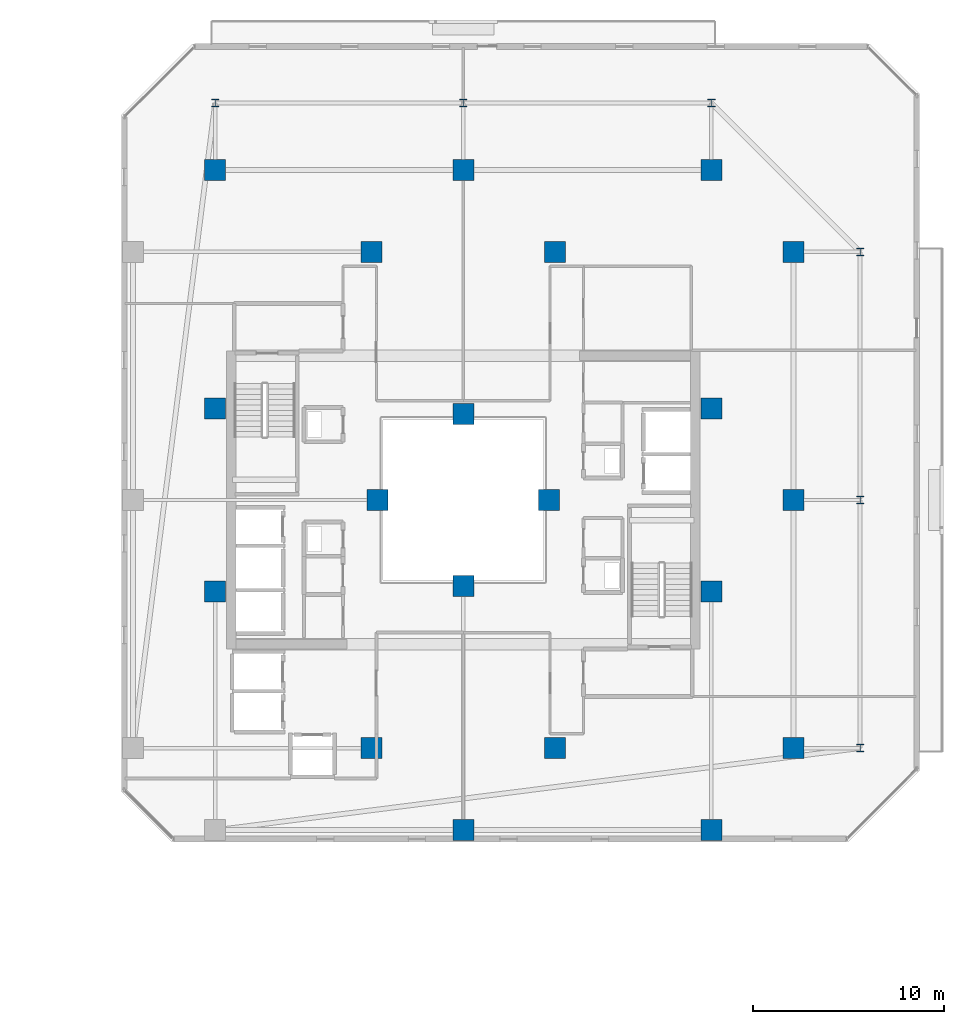
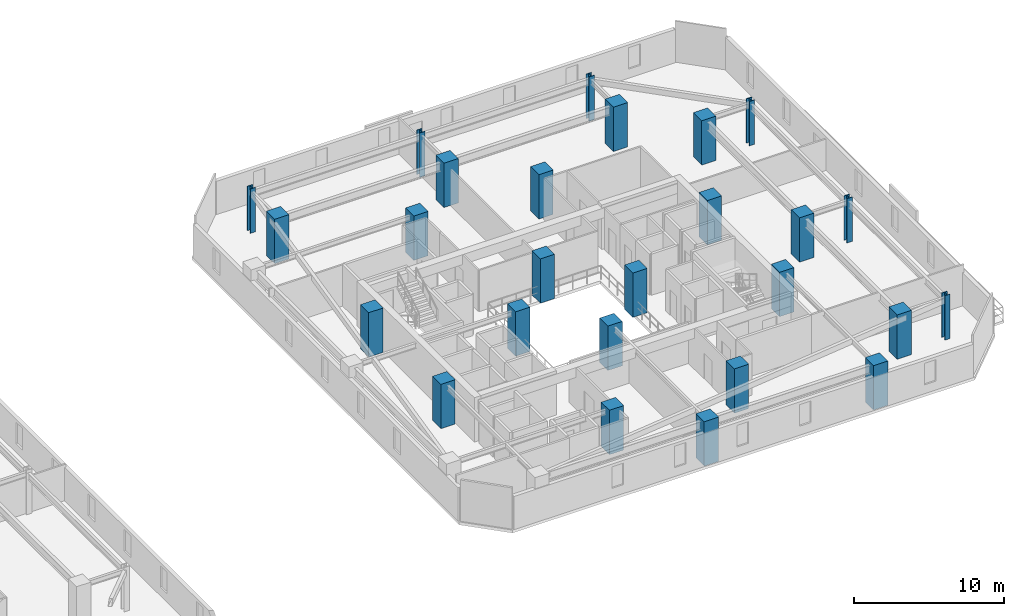
# One storey, part 2 of 32: 26 columns.
"""IFC4 building model written with IfcOpenShell, lengths in metres."""

import ifcopenshell
import ifcopenshell.guid

model = None  # the IFC model being written
_history = None  # IfcOwnerHistory: only IFC2X3 demands one
_inside = {}  # id of a spatial element -> (the spatial element, [elements in it])
_under = {}  # id of a project, library or spatial element -> (it, [spatial elements below it])
_declared = {}  # id of a project -> (the project, [libraries it declares])
_typed = {}  # id of a type object -> (the type object, [elements of that type])
_made_of = {}  # id of a material, layer set ... -> (it, [elements and type objects made of it])


def new_model(schema):
    """Start an empty IFC model of exactly this schema.

    Asked for "IFC4X3", IfcOpenShell would pick the latest addendum, in which some entities
    have other attributes; the version numbers below select the first issue.
    IFC2X3 requires an IfcOwnerHistory on every rooted entity: one is made here for all.
    """
    global model, _history
    if schema == "IFC4X3":
        model = ifcopenshell.file(schema_version=(4, 3, 0, 0))
    else:
        model = ifcopenshell.file(schema=schema)
    _inside.clear()
    _under.clear()
    _declared.clear()
    _typed.clear()
    _made_of.clear()
    _history = None
    if model.schema == "IFC2X3":
        org = make("IfcOrganization", Name="unknown")
        user = make(
            "IfcPersonAndOrganization",
            ThePerson=make("IfcPerson", FamilyName="unknown"),
            TheOrganization=org,
        )
        app = make(
            "IfcApplication",
            ApplicationDeveloper=org,
            Version="unknown",
            ApplicationFullName="unknown",
            ApplicationIdentifier="unknown",
        )
        _history = make(
            "IfcOwnerHistory",
            OwningUser=user,
            OwningApplication=app,
            ChangeAction="ADDED",
            CreationDate=0,
        )
    return model


def make(cls, **values):
    """One entity of the class cls with the attributes given. An attribute that is None is left unset."""
    return model.create_entity(
        cls, **{name: value for name, value in values.items() if value is not None}
    )


def rooted(cls, **values):
    """An entity with a GlobalId (a new one), such as an element, a storey or a relation."""
    return make(cls, GlobalId=ifcopenshell.guid.new(), OwnerHistory=_history, **values)


def si_unit(unit_type, name, prefix=None):
    """IfcSIUnit, for example si_unit("LENGTHUNIT", "METRE", prefix="MILLI")."""
    return make("IfcSIUnit", UnitType=unit_type, Prefix=prefix, Name=name)


def assignment(units):
    """IfcUnitAssignment: the units of a project."""
    return None if units is None else make("IfcUnitAssignment", Units=units)


def point(xyz):
    """IfcCartesianPoint."""
    return None if xyz is None else make("IfcCartesianPoint", Coordinates=xyz)


def direction(xyz):
    """IfcDirection."""
    return None if xyz is None else make("IfcDirection", DirectionRatios=xyz)


def frame(location, z_axis=None, x_axis=None):
    """IfcAxis2Placement3D, a coordinate frame: its origin and axes. An axis left out is left unset."""
    return make(
        "IfcAxis2Placement3D",
        Location=point(location),
        Axis=direction(z_axis),
        RefDirection=direction(x_axis),
    )


def frame_2d(location, x_axis=None):
    """IfcAxis2Placement2D, a coordinate frame in the plane: its origin and x axis."""
    return make(
        "IfcAxis2Placement2D", Location=point(location), RefDirection=direction(x_axis)
    )


def origin():
    """The frame at (0, 0, 0) with its axes left unset."""
    return frame((0.0, 0.0, 0.0))


def origin_2d():
    """The frame at (0, 0) in the plane with its x axis left unset."""
    return frame_2d((0.0, 0.0))


def place(relative_to, where):
    """IfcLocalPlacement: puts the frame where relative to a parent placement (None: the world)."""
    return make(
        "IfcLocalPlacement", PlacementRelTo=relative_to, RelativePlacement=where
    )


def context(
    kind, dimensions, precision=None, world=None, true_north=None, identifier=None
):
    """IfcGeometricRepresentationContext, for example the 3D "Model" context."""
    return make(
        "IfcGeometricRepresentationContext",
        ContextIdentifier=identifier,
        ContextType=kind,
        CoordinateSpaceDimension=dimensions,
        Precision=precision,
        WorldCoordinateSystem=world,
        TrueNorth=true_north,
    )


def subcontext(parent, identifier, kind, view, scale=None):
    """IfcGeometricRepresentationSubContext, for example "Body" below "Model"."""
    return make(
        "IfcGeometricRepresentationSubContext",
        ContextIdentifier=identifier,
        ContextType=kind,
        ParentContext=parent,
        TargetScale=scale,
        TargetView=view,
    )


def project(units=None, contexts=None):
    """IfcProject with its units and contexts."""
    return rooted(
        "IfcProject",
        Name="project",
        RepresentationContexts=contexts,
        UnitsInContext=assignment(units),
    )


def spatial(cls, under=None, at=None, **own):
    """A site, building, storey or space (cls), placed at a placement, below another one or the project."""
    s = rooted(cls, ObjectPlacement=at, **own)
    if under is not None:
        _under.setdefault(under.id(), (under, []))[1].append(s)
    return s


def profile(cls, at=None, kind="AREA", **sizes):
    """A parametric profile (cls). Its sizes go by their IFC names, for example OverallWidth=200.0."""
    return make(cls, ProfileType=kind, Position=at, **sizes)


def rectangle(**sizes):
    """IfcRectangleProfileDef."""
    return profile("IfcRectangleProfileDef", **sizes)


def i_section(**sizes):
    """IfcIShapeProfileDef."""
    return profile("IfcIShapeProfileDef", **sizes)


def extrude(swept, where, along, depth):
    """IfcExtrudedAreaSolid: the profile swept, set in the frame where, extruded along a direction by depth."""
    return make(
        "IfcExtrudedAreaSolid",
        SweptArea=swept,
        Position=where,
        ExtrudedDirection=direction(along),
        Depth=depth,
    )


def shape(context_of_items, identifier, shape_type, items):
    """IfcShapeRepresentation: the items that make up one representation, for example the "Body"."""
    return make(
        "IfcShapeRepresentation",
        ContextOfItems=context_of_items,
        RepresentationIdentifier=identifier,
        RepresentationType=shape_type,
        Items=items,
    )


def material(Name=None, Category=None):
    """IfcMaterial."""
    return make("IfcMaterial", Name=Name, Category=Category)


def material_profile(
    of_material, cross_section, Name=None, Category=None, Priority=None
):
    """IfcMaterialProfile: a cross section and its material."""
    return make(
        "IfcMaterialProfile",
        Name=Name,
        Material=of_material,
        Profile=cross_section,
        Priority=Priority,
        Category=Category,
    )


def profile_set(profiles, Name=None, composite=None):
    """IfcMaterialProfileSet."""
    return make(
        "IfcMaterialProfileSet",
        Name=Name,
        MaterialProfiles=profiles,
        CompositeProfile=composite,
    )


def made_of(thing, what):
    """Note that an element or type object is made of a material, layer set ...; save() writes the relation."""
    if what is not None:
        _made_of.setdefault(what.id(), (what, []))[1].append(thing)
    return thing


def type_object(cls, material=None, **own):
    """A type object (cls), such as IfcWallType, which elements share."""
    return made_of(rooted(cls, **own), material)


def element(
    cls,
    number,
    at=None,
    inside=None,
    cuts=None,
    type_object=None,
    material=None,
    context=None,
    identifier="Body",
    shape_type=None,
    held_by="IfcProductDefinitionShape",
    body=None,
    shapes=None,
    **own,
):
    """One element of the class cls, such as IfcWall. Its Tag is "e" and its number.

    at: its placement. inside: the storey or other place that contains it. cuts: it is an
    opening in that element (IfcRelVoidsElement). A single representation is given by context,
    identifier, shape_type and body (its items); several are given by shapes. held_by: the class
    of the entity that holds the representations. save() writes the other relations.
    """
    e = rooted(cls, Tag="e%d" % number, ObjectPlacement=at, **own)
    if body is not None:
        shapes = [shape(context, identifier, shape_type, body)]
    if shapes is not None:
        e.Representation = make(held_by, Representations=shapes)
    if inside is not None:
        _inside.setdefault(inside.id(), (inside, []))[1].append(e)
    if cuts is not None:
        rooted(
            "IfcRelVoidsElement", RelatingBuildingElement=cuts, RelatedOpeningElement=e
        )
    if type_object is not None:
        _typed.setdefault(type_object.id(), (type_object, []))[1].append(e)
    return made_of(e, material)


def aggregate(whole, parts):
    """IfcRelAggregates: a whole, such as a stair, and the parts it consists of."""
    return rooted("IfcRelAggregates", RelatingObject=whole, RelatedObjects=parts)


def save(model, path):
    """Write the relations noted so far, then the file.

    IfcRelAggregates (storeys below a building ...), IfcRelContainedInSpatialStructure (elements
    in a storey), IfcRelDefinesByType, IfcRelAssociatesMaterial and IfcRelDeclares: one each for
    every whole, place, type object, material and project.
    """
    for whole, parts in _under.values():
        aggregate(whole, parts)
    for where, things in _inside.values():
        rooted(
            "IfcRelContainedInSpatialStructure",
            RelatedElements=things,
            RelatingStructure=where,
        )
    for kind, things in _typed.values():
        rooted("IfcRelDefinesByType", RelatedObjects=things, RelatingType=kind)
    for what, things in _made_of.values():
        rooted("IfcRelAssociatesMaterial", RelatedObjects=things, RelatingMaterial=what)
    for by, libraries in _declared.values():
        rooted("IfcRelDeclares", RelatingContext=by, RelatedDefinitions=libraries)
    model.write(path)


model = new_model("IFC4")

# Units and contexts
model_context = context("Model", 3, precision=1e-05, world=origin(), true_north=direction((0.0, 1.0)))
body_context = subcontext(model_context, "Body", "Model", "MODEL_VIEW")
ifc_project = project(units=[si_unit("LENGTHUNIT", "METRE"), si_unit("AREAUNIT", "SQUARE_METRE"), si_unit("VOLUMEUNIT", "CUBIC_METRE"), si_unit("PLANEANGLEUNIT", "RADIAN"), si_unit("MASSUNIT", "GRAM", prefix="KILO")], contexts=[model_context])

# Site, building, storey
site_placement = place(None, origin())
site = spatial("IfcSite", under=ifc_project, at=site_placement, CompositionType="ELEMENT")
building_placement = place(site_placement, origin())
building = spatial("IfcBuilding", under=site, at=building_placement, Name="Thornwick Lancets Civic Towers", CompositionType="ELEMENT")
storey_placement = place(building_placement, frame((0.0, 0.0, 156.300048828125)))
storey = spatial("IfcBuildingStorey", under=building, at=storey_placement, Name="L41", CompositionType="ELEMENT", Elevation=156.300048828125)

# Columns
ifc_material_1 = material(Name="Concrete C50/60", Category="concrete")
ifc_material_profile_1 = material_profile(ifc_material_1, rectangle(XDim=1.10009765625, YDim=1.10009765625, at=origin_2d()), Name="RC 1100x1100")
ifc_profile_set_1 = profile_set([ifc_material_profile_1], Name="Concrete C50/60")
column_type_1 = type_object("IfcColumnType", Name="COL_RC_1100", PredefinedType="COLUMN", material=ifc_profile_set_1)
for number, where, z_axis, x_axis, name in (
    (1, (105.800048828125, 14.0, 0.0), (0.0, 0.0, 1.0), (1.0, 0.0, 0.0), "L41 Spine Mega-Column B01"),
    (2, (105.800048828125, 27.0, 0.0), (0.0, 0.0, 1.0), (1.0, 0.0, 0.0), "L41 Spine Mega-Column B02"),
    (3, (105.800048828125, 40.0, 0.0), (0.0, 0.0, 1.0), (1.0, 0.0, 0.0), "L41 Spine Mega-Column B03"),
    (4, (101.5, 44.300048828125, 0.0), (0.0, 0.0, 1.0), (1.0, 0.0, 0.0), "L41 Spine Mega-Column B04"),
    (5, (88.5, 44.300048828125, 0.0), (0.0, 0.0, 1.0), (1.0, 0.0, 0.0), "L41 Spine Mega-Column B05"),
    (6, (75.5, 44.300048828125, 0.0), (0.0, 0.0, 1.0), (1.0, 0.0, 0.0), "L41 Spine Mega-Column B06"),
    (7, (101.5, 9.699951171875, 0.0), (0.0, 0.0, 1.0), (1.0, 0.0, 0.0), "L41 Spine Mega-Column B10"),
    (8, (88.5, 9.699951171875, 0.0), (0.0, 0.0, 1.0), (1.0, 0.0, 0.0), "L41 Spine Mega-Column B11"),
    (9, (93.300048828125, 14.0, 0.0), (0.0, 0.0, 1.0), (1.0, 0.0, 0.0), "L41 Spine Mega-Column B13"),
    (10, (93.300048828125, 40.0, 0.0), (0.0, 0.0, 1.0), (1.0, 0.0, 0.0), "L41 Spine Mega-Column B14"),
    (11, (83.699951171875, 14.0, 0.0), (0.0, 0.0, 1.0), (1.0, 0.0, 0.0), "L41 Spine Mega-Column B15"),
    (12, (83.699951171875, 40.0, 0.0), (0.0, 0.0, 1.0), (1.0, 0.0, 0.0), "L41 Spine Mega-Column B16"),
    (13, (101.5, 22.199951171875, 0.0), (0.0, 0.0, 1.0), (1.0, 0.0, 0.0), "L41 Spine Mega-Column B17"),
    (14, (101.5, 31.800048828125, 0.0), (0.0, 0.0, 1.0), (1.0, 0.0, 0.0), "L41 Spine Mega-Column B18"),
    (15, (75.5, 22.199951171875, 0.0), (0.0, 0.0, 1.0), (1.0, 0.0, 0.0), "L41 Spine Mega-Column B19"),
    (16, (75.5, 31.800048828125, 0.0), (0.0, 0.0, 1.0), (1.0, 0.0, 0.0), "L41 Spine Mega-Column B20"),
    (17, (93.0, 27.0, 0.0), (0.0, 0.0, 1.0), (1.0, 0.0, 0.0), "L41 Spine Mega-Column B21"),
    (18, (84.0, 27.0, 0.0), (0.0, 0.0, 1.0), (1.0, 0.0, 0.0), "L41 Spine Mega-Column B22"),
    (19, (88.5, 22.5, 0.0), (0.0, 0.0, 1.0), (1.0, 0.0, 0.0), "L41 Spine Mega-Column B23"),
    (20, (88.5, 31.5, 0.0), (0.0, 0.0, 1.0), (1.0, 0.0, 0.0), "L41 Spine Mega-Column B24"),
):
    element("IfcColumn", number, at=place(storey_placement, frame(where, z_axis=z_axis, x_axis=x_axis)), inside=storey, type_object=column_type_1, Name=name, PredefinedType="COLUMN", context=body_context, shape_type="SweptSolid", body=[
        extrude(rectangle(XDim=1.10009765625, YDim=1.10009765625, at=origin_2d()), origin(), (0.0, 0.0, 1.0), 3.599853515625),
    ])
ifc_material_2 = material(Name="Steel S460M", Category="steel")
ifc_material_profile_2 = material_profile(ifc_material_2, i_section(OverallWidth=0.406982421875, OverallDepth=0.4189453125, WebThickness=0.030517578125, FlangeThickness=0.04931640625, FilletRadius=0.01513671875, at=origin_2d()), Name="UKC 356x406x393")
ifc_profile_set_2 = profile_set([ifc_material_profile_2], Name="Steel S460M")
column_type_2 = type_object("IfcColumnType", Name="COL_UKC_393", PredefinedType="COLUMN", material=ifc_profile_set_2)
for number, where, z_axis, x_axis, name in (
    (21, (109.300048828125, 14.0, 0.0), (0.0, 0.0, 1.0), (1.0, 0.0, 0.0), "L41 Block Perimeter Column B01"),
    (22, (109.300048828125, 27.0, 0.0), (0.0, 0.0, 1.0), (1.0, 0.0, 0.0), "L41 Block Perimeter Column B02"),
    (23, (109.300048828125, 40.0, 0.0), (0.0, 0.0, 1.0), (1.0, 0.0, 0.0), "L41 Block Perimeter Column B03"),
    (24, (101.5, 47.800048828125, 0.0), (0.0, 0.0, 1.0), (1.0, 0.0, 0.0), "L41 Block Perimeter Column B04"),
    (25, (88.5, 47.800048828125, 0.0), (0.0, 0.0, 1.0), (1.0, 0.0, 0.0), "L41 Block Perimeter Column B05"),
    (26, (75.5, 47.800048828125, 0.0), (0.0, 0.0, 1.0), (1.0, 0.0, 0.0), "L41 Block Perimeter Column B06"),
):
    element("IfcColumn", number, at=place(storey_placement, frame(where, z_axis=z_axis, x_axis=x_axis)), inside=storey, type_object=column_type_2, Name=name, PredefinedType="COLUMN", context=body_context, shape_type="SweptSolid", body=[
        extrude(i_section(OverallWidth=0.406982421875, OverallDepth=0.4189453125, WebThickness=0.030517578125, FlangeThickness=0.04931640625, FilletRadius=0.01513671875, at=origin_2d()), origin(), (0.0, 0.0, 1.0), 3.599853515625),
    ])

save(model, "model.ifc")
